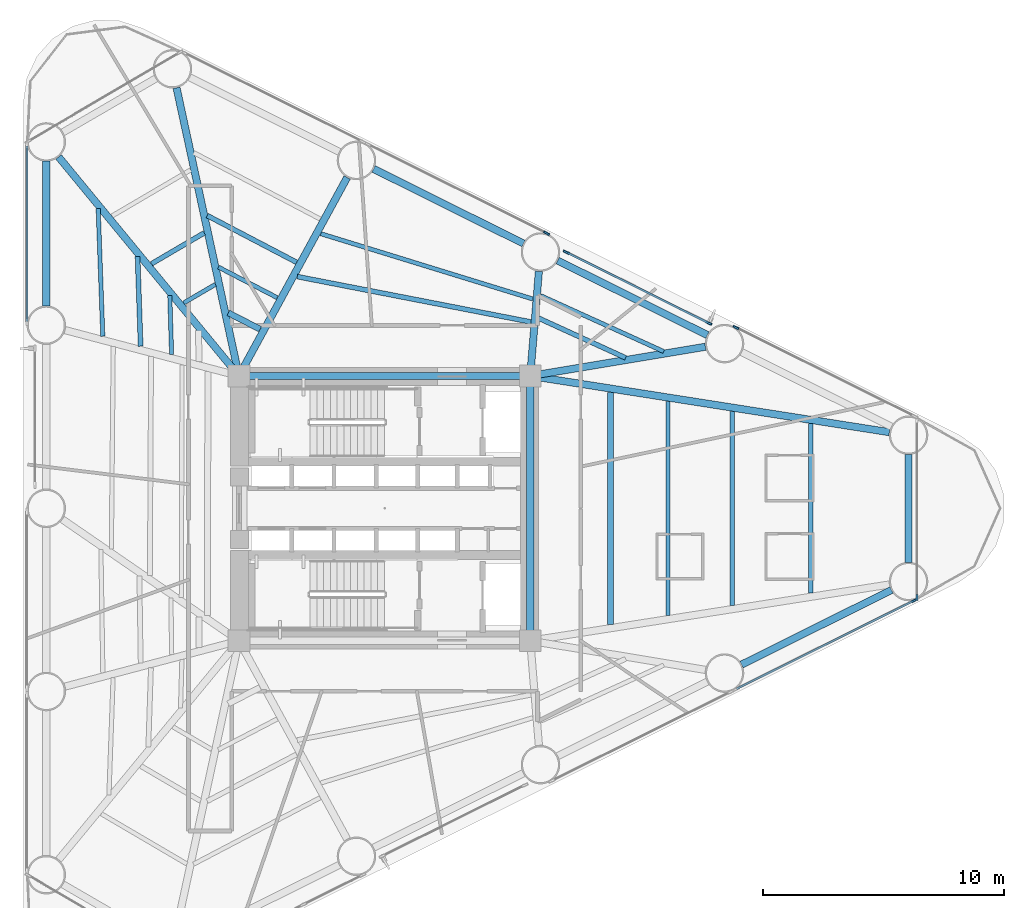
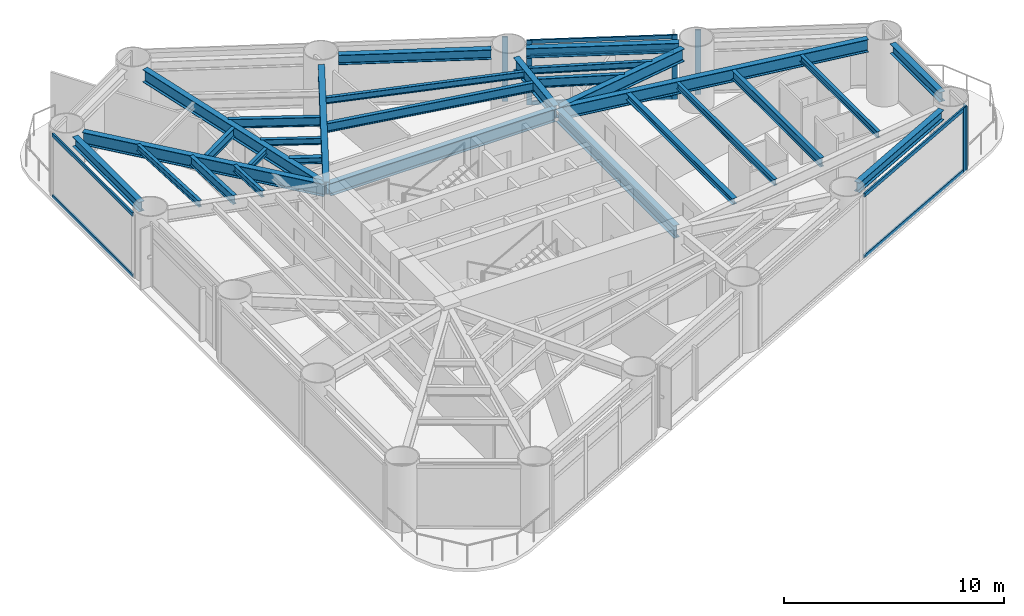
# One storey, part 3 of 10: 29 beams, 13 members, 6 elements without a shape of their own.
"""IFC4 building model written with IfcOpenShell, lengths in metres."""

from ifc_helpers import new_model, si_unit, direction, frame, origin, origin_2d, place, context, subcontext, project, spatial, rectangle, i_section, extrude, source, transform, mapped, material, layer, layer_set, material_profile, profile_set, type_object, element, aggregate, save


model = new_model("IFC4")

# Units and contexts
model_context = context("Model", 3, precision=1e-05, world=origin(), true_north=direction((0.0, 1.0)))
body_context = subcontext(model_context, "Body", "Model", "MODEL_VIEW")
ifc_project = project(units=[si_unit("LENGTHUNIT", "METRE"), si_unit("AREAUNIT", "SQUARE_METRE"), si_unit("VOLUMEUNIT", "CUBIC_METRE"), si_unit("PLANEANGLEUNIT", "RADIAN"), si_unit("MASSUNIT", "GRAM", prefix="KILO")], contexts=[model_context])

# Site, building, storey
site_placement = place(None, origin())
site = spatial("IfcSite", under=ifc_project, at=site_placement, CompositionType="ELEMENT")
building_placement = place(site_placement, origin())
building = spatial("IfcBuilding", under=site, at=building_placement, Name="Yunling Apex Tower", CompositionType="ELEMENT")
storey_placement = place(building_placement, frame((0.0, 0.0, 46.0)))
storey = spatial("IfcBuildingStorey", under=building, at=storey_placement, Name="L13", CompositionType="ELEMENT", Elevation=46.0)

# Beams
ifc_material_1 = material(Name="Steel Q355B", Category="steel")
ifc_material_profile_1 = material_profile(ifc_material_1, i_section(OverallWidth=0.300048828125, OverallDepth=0.699951171875, WebThickness=0.012939453125, FlangeThickness=0.02392578125, FilletRadius=0.02587890625, at=origin_2d()))
ifc_profile_set_1 = profile_set([ifc_material_profile_1], Name="Steel Q355B")
beam_type_1 = type_object("IfcBeamType", Name="BG-PRI-3", PredefinedType="USERDEFINED", material=ifc_profile_set_1)
shared_shape_1 = source(origin(), body_context, "Body", "SweptSolid", [
    extrude(i_section(OverallWidth=0.300048828125, OverallDepth=0.699951171875, WebThickness=0.012939453125, FlangeThickness=0.02392578125, FilletRadius=0.02587890625, at=origin_2d()), origin(), (0.0, 0.0, 1.0), 11.7998046875),
])
beam_1_placement = place(storey_placement, frame((5.89990234375, 5.5, 3.1298828125), z_axis=(-1.0, 0.0, 0.0), x_axis=(0.0, -1.0, 0.0)))
element("IfcBeam", 1, at=beam_1_placement, inside=storey, type_object=beam_type_1, Name="L13 Core Ring Tie Beam 3", ObjectType="GIRDER", PredefinedType="USERDEFINED", context=body_context, shape_type="MappedRepresentation", body=[
    mapped(shared_shape_1, transform((0.0, 0.0, 0.0), scale=1.0)),
])
shared_shape_2 = source(origin(), body_context, "Body", "SweptSolid", [
    extrude(i_section(OverallWidth=0.300048828125, OverallDepth=0.699951171875, WebThickness=0.012939453125, FlangeThickness=0.02392578125, FilletRadius=0.02587890625, at=origin_2d()), origin(), (0.0, 0.0, 1.0), 10.7001953125),
])
beam_2_placement = place(storey_placement, frame((6.050048828125, -5.35009765625, 3.1298828125), z_axis=(0.0, 1.0, 0.0), x_axis=(-1.0, 0.0, 0.0)))
element("IfcBeam", 2, at=beam_2_placement, inside=storey, type_object=beam_type_1, Name="L13 Core Ring Tie Beam 2", ObjectType="GIRDER", PredefinedType="USERDEFINED", context=body_context, shape_type="MappedRepresentation", body=[
    mapped(shared_shape_2, transform((0.0, 0.0, 0.0), scale=1.0)),
])
ifc_material_profile_2 = material_profile(ifc_material_1, i_section(OverallWidth=0.300048828125, OverallDepth=0.5400390625, WebThickness=0.011962890625, FlangeThickness=0.02001953125, FilletRadius=0.02392578125, at=origin_2d()))
ifc_profile_set_2 = profile_set([ifc_material_profile_2], Name="Steel Q355B")
beam_type_2 = type_object("IfcBeamType", Name="BP-SPN-1", PredefinedType="SPANDREL", material=ifc_profile_set_2)
shared_shape_3 = source(origin(), body_context, "Body", "SweptSolid", [
    extrude(i_section(OverallWidth=0.300048828125, OverallDepth=0.5400390625, WebThickness=0.011962890625, FlangeThickness=0.02001953125, FilletRadius=0.02392578125, at=origin_2d()), origin(), (0.0, 0.0, 1.0), 6.950927734375),
])
for number, where, z_axis, x_axis, name in (
    (3, (14.83251953125, -6.48974609375, 3.2099609375), (0.895247556401, 0.445569088646, 0.0), (-0.445569088646, 0.895247556401, 0.0), "L13 Perimeter Spandrel Beam 4"),
    (4, (5.7666015625, 11.002197265625, 3.2099609375), (-0.895247556401, 0.445569088646, 0.0), (-0.445569088646, -0.895247556401, 0.0), "L13 Perimeter Spandrel Beam 8"),
):
    element("IfcBeam", number, at=place(storey_placement, frame(where, z_axis=z_axis, x_axis=x_axis)), inside=storey, type_object=beam_type_2, Name=name, PredefinedType="SPANDREL", context=body_context, shape_type="MappedRepresentation", body=[
        mapped(shared_shape_3, transform((0.0, 0.0, 0.0), scale=1.0)),
    ])
shared_shape_4 = source(origin(), body_context, "Body", "SweptSolid", [
    extrude(i_section(OverallWidth=0.300048828125, OverallDepth=0.5400390625, WebThickness=0.011962890625, FlangeThickness=0.02001953125, FilletRadius=0.02392578125, at=origin_2d()), origin(), (0.0, 0.0, 1.0), 6.95068359375),
])
beam_3_placement = place(storey_placement, frame((13.410888671875, 7.197509765625, 3.2099609375), z_axis=(-0.895254593944, 0.445554948375, 0.0), x_axis=(-0.445554948375, -0.895254593944, 0.0)))
element("IfcBeam", 5, at=beam_3_placement, inside=storey, type_object=beam_type_2, Name="L13 Perimeter Spandrel Beam 7", PredefinedType="SPANDREL", context=body_context, shape_type="MappedRepresentation", body=[
    mapped(shared_shape_4, transform((0.0, 0.0, 0.0), scale=1.0)),
])
shared_shape_5 = source(origin(), body_context, "Body", "SweptSolid", [
    extrude(i_section(OverallWidth=0.300048828125, OverallDepth=0.5400390625, WebThickness=0.011962890625, FlangeThickness=0.02001953125, FilletRadius=0.02392578125, at=origin_2d()), origin(), (0.0, 0.0, 1.0), 4.48974609375),
])
beam_4_placement = place(storey_placement, frame((21.76611328125, -2.244873046875, 3.2099609375), z_axis=(0.0, 1.0, 0.0), x_axis=(-1.0, 0.0, 0.0)))
element("IfcBeam", 6, at=beam_4_placement, inside=storey, type_object=beam_type_2, Name="L13 Perimeter Spandrel Beam 5", PredefinedType="SPANDREL", context=body_context, shape_type="MappedRepresentation", body=[
    mapped(shared_shape_5, transform((0.0, 0.0, 0.0), scale=1.0)),
])
shared_shape_6 = source(origin(), body_context, "Body", "SweptSolid", [
    extrude(i_section(OverallWidth=0.300048828125, OverallDepth=0.5400390625, WebThickness=0.011962890625, FlangeThickness=0.02001953125, FilletRadius=0.02392578125, at=origin_2d()), origin(), (0.0, 0.0, 1.0), 6.021240234375),
])
beam_5_placement = place(storey_placement, frame((-14.052001953125, 14.4248046875, 3.2099609375), z_axis=(0.0, -1.0, 0.0), x_axis=(1.0, 0.0, 0.0)))
element("IfcBeam", 7, at=beam_5_placement, inside=storey, type_object=beam_type_2, Name="L13 Perimeter Spandrel Beam 11", PredefinedType="SPANDREL", context=body_context, shape_type="MappedRepresentation", body=[
    mapped(shared_shape_6, transform((0.0, 0.0, 0.0), scale=1.0)),
])
shared_shape_7 = source(origin(), body_context, "Body", "SweptSolid", [
    extrude(i_section(OverallWidth=0.300048828125, OverallDepth=0.699951171875, WebThickness=0.012939453125, FlangeThickness=0.02392578125, FilletRadius=0.02587890625, at=origin_2d()), origin(), (0.0, 0.0, 1.0), 12.165283203125),
])
beam_6_placement = place(storey_placement, frame((-8.640625, 17.468017578125, 3.1298828125), z_axis=(0.2115638914, -0.977364169517, 0.0), x_axis=(0.977364169517, 0.2115638914, 0.0)))
element("IfcBeam", 8, at=beam_6_placement, inside=storey, type_object=beam_type_1, Name="L13 Radial Primary Girder R10", ObjectType="GIRDER", PredefinedType="USERDEFINED", context=body_context, shape_type="MappedRepresentation", body=[
    mapped(shared_shape_7, transform((0.0, 0.0, 0.0), scale=1.0)),
])
shared_shape_8 = source(origin(), body_context, "Body", "SweptSolid", [
    extrude(i_section(OverallWidth=0.300048828125, OverallDepth=0.699951171875, WebThickness=0.012939453125, FlangeThickness=0.02392578125, FilletRadius=0.02587890625, at=origin_2d()), origin(), (0.0, 0.0, 1.0), 9.31005859375),
])
beam_7_placement = place(storey_placement, frame((-1.553955078125, 13.74365234375, 3.1298828125), z_axis=(-0.478817221141, -0.877914613581, 0.0), x_axis=(0.877914613581, -0.478817221141, 0.0)))
element("IfcBeam", 9, at=beam_7_placement, inside=storey, type_object=beam_type_1, Name="L13 Radial Primary Girder R09", ObjectType="GIRDER", PredefinedType="USERDEFINED", context=body_context, shape_type="MappedRepresentation", body=[
    mapped(shared_shape_8, transform((0.0, 0.0, 0.0), scale=1.0)),
])
shared_shape_9 = source(origin(), body_context, "Body", "SweptSolid", [
    extrude(i_section(OverallWidth=0.300048828125, OverallDepth=0.699951171875, WebThickness=0.012939453125, FlangeThickness=0.02392578125, FilletRadius=0.02587890625, at=origin_2d()), origin(), (0.0, 0.0, 1.0), 4.278076171875),
])
beam_8_placement = place(storey_placement, frame((6.41064453125, 9.843017578125, 3.1298828125), z_axis=(-0.082747937789, -0.996570508691, 0.0), x_axis=(0.996570508691, -0.082747937789, 0.0)))
element("IfcBeam", 10, at=beam_8_placement, inside=storey, type_object=beam_type_1, Name="L13 Radial Primary Girder R08", ObjectType="GIRDER", PredefinedType="USERDEFINED", context=body_context, shape_type="MappedRepresentation", body=[
    mapped(shared_shape_9, transform((0.0, 0.0, 0.0), scale=1.0)),
])
shared_shape_10 = source(origin(), body_context, "Body", "SweptSolid", [
    extrude(i_section(OverallWidth=0.300048828125, OverallDepth=0.699951171875, WebThickness=0.012939453125, FlangeThickness=0.02392578125, FilletRadius=0.02587890625, at=origin_2d()), origin(), (0.0, 0.0, 1.0), 7.294921875),
])
beam_9_placement = place(storey_placement, frame((13.32470703125, 6.7109375, 3.1298828125), z_axis=(-0.98642827455, -0.164192750049, 0.0), x_axis=(0.164192750049, -0.98642827455, 0.0)))
element("IfcBeam", 11, at=beam_9_placement, inside=storey, type_object=beam_type_1, Name="L13 Radial Primary Girder R07", ObjectType="GIRDER", PredefinedType="USERDEFINED", context=body_context, shape_type="MappedRepresentation", body=[
    mapped(shared_shape_10, transform((0.0, 0.0, 0.0), scale=1.0)),
])
shared_shape_11 = source(origin(), body_context, "Body", "SweptSolid", [
    extrude(i_section(OverallWidth=0.300048828125, OverallDepth=0.699951171875, WebThickness=0.012939453125, FlangeThickness=0.02392578125, FilletRadius=0.02587890625, at=origin_2d()), origin(), (0.0, 0.0, 1.0), 15.02001953125),
])
beam_10_placement = place(storey_placement, frame((20.968017578125, 3.163818359375, 3.1298828125), z_axis=(-0.987959991473, 0.154709583568, 0.0), x_axis=(-0.154709583568, -0.987959991473, 0.0)))
element("IfcBeam", 12, at=beam_10_placement, inside=storey, type_object=beam_type_1, Name="L13 Radial Primary Girder R06", ObjectType="GIRDER", PredefinedType="USERDEFINED", context=body_context, shape_type="MappedRepresentation", body=[
    mapped(shared_shape_11, transform((0.0, 0.0, 0.0), scale=1.0)),
])
shared_shape_12 = source(origin(), body_context, "Body", "SweptSolid", [
    extrude(i_section(OverallWidth=0.300048828125, OverallDepth=0.699951171875, WebThickness=0.012939453125, FlangeThickness=0.02392578125, FilletRadius=0.02587890625, at=origin_2d()), origin(), (0.0, 0.0, 1.0), 11.701171875),
])
beam_11_placement = place(storey_placement, frame((-13.538330078125, 14.59521484375, 3.1298828125), z_axis=(0.635615100524, -0.772006116547, 0.0), x_axis=(0.772006116547, 0.635615100524, 0.0)))
element("IfcBeam", 13, at=beam_11_placement, inside=storey, type_object=beam_type_1, Name="L13 Radial Primary Girder R11", ObjectType="GIRDER", PredefinedType="USERDEFINED", context=body_context, shape_type="MappedRepresentation", body=[
    mapped(shared_shape_12, transform((0.0, 0.0, 0.0), scale=1.0)),
])
ifc_material_profile_3 = material_profile(ifc_material_1, i_section(OverallWidth=0.199951171875, OverallDepth=0.5, WebThickness=0.010009765625, FlangeThickness=0.01611328125, FilletRadius=0.02001953125, at=origin_2d()))
ifc_profile_set_3 = profile_set([ifc_material_profile_3], Name="Steel Q355B")
beam_type_3 = type_object("IfcBeamType", Name="BS-SEC-2", PredefinedType="BEAM", material=ifc_profile_set_3)
shared_shape_13 = source(origin(), body_context, "Body", "SweptSolid", [
    extrude(i_section(OverallWidth=0.199951171875, OverallDepth=0.5, WebThickness=0.010009765625, FlangeThickness=0.01611328125, FilletRadius=0.02001953125, at=origin_2d()), origin(), (0.0, 0.0, 1.0), 4.186279296875),
])
beam_12_placement = place(storey_placement, frame((-3.6572265625, 10.221435546875, 3.22998046875), z_axis=(-0.886028927656, 0.463629959512, 0.0), x_axis=(-0.463629959512, -0.886028927656, 0.0)))
element("IfcBeam", 14, at=beam_12_placement, inside=storey, type_object=beam_type_3, Name="L13 Composite Floor Beam BS-9", PredefinedType="BEAM", context=body_context, shape_type="MappedRepresentation", body=[
    mapped(shared_shape_13, transform((0.0, 0.0, 0.0), scale=1.0)),
])
ifc_material_profile_4 = material_profile(ifc_material_1, i_section(OverallWidth=0.175048828125, OverallDepth=0.35009765625, WebThickness=0.007080078125, FlangeThickness=0.010986328125, FilletRadius=0.013916015625, at=origin_2d()))
ifc_profile_set_4 = profile_set([ifc_material_profile_4], Name="Steel Q355B")
beam_type_4 = type_object("IfcBeamType", Name="BJ-JST-1", PredefinedType="JOIST", material=ifc_profile_set_4)
shared_shape_14 = source(origin(), body_context, "Body", "SweptSolid", [
    extrude(i_section(OverallWidth=0.175048828125, OverallDepth=0.35009765625, WebThickness=0.007080078125, FlangeThickness=0.010986328125, FilletRadius=0.013916015625, at=origin_2d()), origin(), (0.0, 0.0, 1.0), 2.7548828125),
])
beam_13_placement = place(storey_placement, frame((-4.459716796875, 8.75, 3.304931640625), z_axis=(-0.886932237595, 0.461899562584, 0.0), x_axis=(-0.461899562584, -0.886932237595, 0.0)))
element("IfcBeam", 15, at=beam_13_placement, inside=storey, type_object=beam_type_4, Name="L13 Composite Floor Joist BJ3-9", PredefinedType="JOIST", context=body_context, shape_type="MappedRepresentation", body=[
    mapped(shared_shape_14, transform((0.0, 0.0, 0.0), scale=1.0)),
])
ifc_material_profile_5 = material_profile(ifc_material_1, i_section(OverallWidth=0.25, OverallDepth=0.340087890625, WebThickness=0.009033203125, FlangeThickness=0.013916015625, FilletRadius=0.01806640625, at=origin_2d()))
ifc_profile_set_5 = profile_set([ifc_material_profile_5], Name="Steel Q355B")
beam_type_5 = type_object("IfcBeamType", Name="BJ-JST-2", PredefinedType="JOIST", material=ifc_profile_set_5)
shared_shape_15 = source(origin(), body_context, "Body", "SweptSolid", [
    extrude(i_section(OverallWidth=0.25, OverallDepth=0.340087890625, WebThickness=0.009033203125, FlangeThickness=0.013916015625, FilletRadius=0.01806640625, at=origin_2d()), origin(), (0.0, 0.0, 1.0), 1.482421875),
])
beam_14_placement = place(storey_placement, frame((-5.173095703125, 7.441650390625, 3.31005859375), z_axis=(-0.888960334438, 0.457984196012, 0.0), x_axis=(-0.457984196012, -0.888960334438, 0.0)))
element("IfcBeam", 16, at=beam_14_placement, inside=storey, type_object=beam_type_5, Name="L13 Composite Floor Joist BJ2-9", PredefinedType="JOIST", context=body_context, shape_type="MappedRepresentation", body=[
    mapped(shared_shape_15, transform((0.0, 0.0, 0.0), scale=1.0)),
])
shared_shape_16 = source(origin(), body_context, "Body", "SweptSolid", [
    extrude(i_section(OverallWidth=0.199951171875, OverallDepth=0.5, WebThickness=0.010009765625, FlangeThickness=0.01611328125, FilletRadius=0.02001953125, at=origin_2d()), origin(), (0.0, 0.0, 1.0), 9.883544921875),
])
beam_15_placement = place(storey_placement, frame((6.076416015625, 7.741943359375, 3.22998046875), z_axis=(-0.981653423938, 0.190673950161, 0.0), x_axis=(-0.190673950161, -0.981653423938, 0.0)))
element("IfcBeam", 17, at=beam_15_placement, inside=storey, type_object=beam_type_3, Name="L13 Composite Floor Beam BS-8", PredefinedType="BEAM", context=body_context, shape_type="MappedRepresentation", body=[
    mapped(shared_shape_16, transform((0.0, 0.0, 0.0), scale=1.0)),
])
shared_shape_17 = source(origin(), body_context, "Body", "SweptSolid", [
    extrude(i_section(OverallWidth=0.175048828125, OverallDepth=0.35009765625, WebThickness=0.007080078125, FlangeThickness=0.010986328125, FilletRadius=0.013916015625, at=origin_2d()), origin(), (0.0, 0.0, 1.0), 9.2158203125),
])
beam_16_placement = place(storey_placement, frame((6.15869140625, 8.6962890625, 3.304931640625), z_axis=(-0.955731454849, 0.294240354492, 0.0), x_axis=(-0.294240354492, -0.955731454849, 0.0)))
element("IfcBeam", 18, at=beam_16_placement, inside=storey, type_object=beam_type_4, Name="L13 Composite Floor Joist BJ1-8", PredefinedType="JOIST", context=body_context, shape_type="MappedRepresentation", body=[
    mapped(shared_shape_17, transform((0.0, 0.0, 0.0), scale=1.0)),
])
shared_shape_18 = source(origin(), body_context, "Body", "SweptSolid", [
    extrude(i_section(OverallWidth=0.199951171875, OverallDepth=0.5, WebThickness=0.010009765625, FlangeThickness=0.01611328125, FilletRadius=0.02001953125, at=origin_2d()), origin(), (0.0, 0.0, 1.0), 3.971923828125),
])
beam_17_placement = place(storey_placement, frame((10.01318359375, 6.25048828125, 3.22998046875), z_axis=(-0.909609234888, 0.415464847858, 0.0), x_axis=(-0.415464847858, -0.909609234888, 0.0)))
element("IfcBeam", 19, at=beam_17_placement, inside=storey, type_object=beam_type_3, Name="L13 Composite Floor Beam BS-7", PredefinedType="BEAM", context=body_context, shape_type="MappedRepresentation", body=[
    mapped(shared_shape_18, transform((0.0, 0.0, 0.0), scale=1.0)),
])
shared_shape_19 = source(origin(), body_context, "Body", "SweptSolid", [
    extrude(i_section(OverallWidth=0.175048828125, OverallDepth=0.35009765625, WebThickness=0.007080078125, FlangeThickness=0.010986328125, FilletRadius=0.013916015625, at=origin_2d()), origin(), (0.0, 0.0, 1.0), 5.62109375),
])
beam_18_placement = place(storey_placement, frame((11.595947265625, 6.513671875, 3.304931640625), z_axis=(-0.910411095702, 0.413704770124, 0.0), x_axis=(-0.413704770124, -0.910411095702, 0.0)))
element("IfcBeam", 20, at=beam_18_placement, inside=storey, type_object=beam_type_4, Name="L13 Composite Floor Joist BJ1-7", PredefinedType="JOIST", context=body_context, shape_type="MappedRepresentation", body=[
    mapped(shared_shape_19, transform((0.0, 0.0, 0.0), scale=1.0)),
])
shared_shape_20 = source(origin(), body_context, "Body", "SweptSolid", [
    extrude(i_section(OverallWidth=0.199951171875, OverallDepth=0.5, WebThickness=0.010009765625, FlangeThickness=0.01611328125, FilletRadius=0.02001953125, at=origin_2d()), origin(), (0.0, 0.0, 1.0), 8.052734375),
])
beam_19_placement = place(storey_placement, frame((14.438720703125, -4.0263671875, 3.22998046875), z_axis=(0.0, 1.0, 0.0), x_axis=(-1.0, 0.0, 0.0)))
element("IfcBeam", 21, at=beam_19_placement, inside=storey, type_object=beam_type_3, Name="L13 Composite Floor Beam BS-5", PredefinedType="BEAM", context=body_context, shape_type="MappedRepresentation", body=[
    mapped(shared_shape_20, transform((0.0, 0.0, 0.0), scale=1.0)),
])
shared_shape_21 = source(origin(), body_context, "Body", "SweptSolid", [
    extrude(i_section(OverallWidth=0.175048828125, OverallDepth=0.35009765625, WebThickness=0.007080078125, FlangeThickness=0.010986328125, FilletRadius=0.013916015625, at=origin_2d()), origin(), (0.0, 0.0, 1.0), 7.02978515625),
])
beam_20_placement = place(storey_placement, frame((17.703369140625, -3.514892578125, 3.304931640625), z_axis=(0.0, 1.0, 0.0), x_axis=(-1.0, 0.0, 0.0)))
element("IfcBeam", 22, at=beam_20_placement, inside=storey, type_object=beam_type_4, Name="L13 Composite Floor Joist BJ1-5", PredefinedType="JOIST", context=body_context, shape_type="MappedRepresentation", body=[
    mapped(shared_shape_21, transform((0.0, 0.0, 0.0), scale=1.0)),
])
shared_shape_22 = source(origin(), body_context, "Body", "SweptSolid", [
    extrude(i_section(OverallWidth=0.175048828125, OverallDepth=0.35009765625, WebThickness=0.007080078125, FlangeThickness=0.010986328125, FilletRadius=0.013916015625, at=origin_2d()), origin(), (0.0, 0.0, 1.0), 8.88916015625),
])
beam_21_placement = place(storey_placement, frame((11.767822265625, -4.444580078125, 3.304931640625), z_axis=(0.0, 1.0, 0.0), x_axis=(-1.0, 0.0, 0.0)))
element("IfcBeam", 23, at=beam_21_placement, inside=storey, type_object=beam_type_4, Name="L13 Composite Floor Joist BJ3-5", PredefinedType="JOIST", context=body_context, shape_type="MappedRepresentation", body=[
    mapped(shared_shape_22, transform((0.0, 0.0, 0.0), scale=1.0)),
])
shared_shape_23 = source(origin(), body_context, "Body", "SweptSolid", [
    extrude(i_section(OverallWidth=0.25, OverallDepth=0.340087890625, WebThickness=0.009033203125, FlangeThickness=0.013916015625, FilletRadius=0.01806640625, at=origin_2d()), origin(), (0.0, 0.0, 1.0), 9.6328125),
])
beam_22_placement = place(storey_placement, frame((9.3935546875, -4.81640625, 3.31005859375), z_axis=(0.0, 1.0, 0.0), x_axis=(-1.0, 0.0, 0.0)))
element("IfcBeam", 24, at=beam_22_placement, inside=storey, type_object=beam_type_5, Name="L13 Composite Floor Joist BJ2-5", PredefinedType="JOIST", context=body_context, shape_type="MappedRepresentation", body=[
    mapped(shared_shape_23, transform((0.0, 0.0, 0.0), scale=1.0)),
])
shared_shape_24 = source(origin(), body_context, "Body", "SweptSolid", [
    extrude(i_section(OverallWidth=0.199951171875, OverallDepth=0.5, WebThickness=0.010009765625, FlangeThickness=0.01611328125, FilletRadius=0.02001953125, at=origin_2d()), origin(), (0.0, 0.0, 1.0), 2.5380859375),
])
beam_23_placement = place(storey_placement, frame((-7.49169921875, 11.4423828125, 3.22998046875), z_axis=(-0.862768873171, -0.505598527972, 0.0), x_axis=(0.505598527972, -0.862768873171, 0.0)))
element("IfcBeam", 25, at=beam_23_placement, inside=storey, type_object=beam_type_3, Name="L13 Composite Floor Beam BS-10", PredefinedType="BEAM", context=body_context, shape_type="MappedRepresentation", body=[
    mapped(shared_shape_24, transform((0.0, 0.0, 0.0), scale=1.0)),
])
shared_shape_25 = source(origin(), body_context, "Body", "SweptSolid", [
    extrude(i_section(OverallWidth=0.175048828125, OverallDepth=0.35009765625, WebThickness=0.007080078125, FlangeThickness=0.010986328125, FilletRadius=0.013916015625, at=origin_2d()), origin(), (0.0, 0.0, 1.0), 1.522705078125),
])
beam_24_placement = place(storey_placement, frame((-7.028564453125, 9.30224609375, 3.304931640625), z_axis=(-0.863086068208, -0.505056866962, 0.0), x_axis=(0.505056866962, -0.863086068208, 0.0)))
element("IfcBeam", 26, at=beam_24_placement, inside=storey, type_object=beam_type_4, Name="L13 Composite Floor Joist BJ3-10", PredefinedType="JOIST", context=body_context, shape_type="MappedRepresentation", body=[
    mapped(shared_shape_25, transform((0.0, 0.0, 0.0), scale=1.0)),
])
shared_shape_26 = source(origin(), body_context, "Body", "SweptSolid", [
    extrude(i_section(OverallWidth=0.199951171875, OverallDepth=0.5, WebThickness=0.010009765625, FlangeThickness=0.01611328125, FilletRadius=0.02001953125, at=origin_2d()), origin(), (0.0, 0.0, 1.0), 3.727783203125),
])
beam_25_placement = place(storey_placement, frame((-10.260498046875, 10.46044921875, 3.22998046875), z_axis=(0.034187081609, -0.999415450877, 0.0), x_axis=(0.999415450877, 0.034187081609, 0.0)))
element("IfcBeam", 27, at=beam_25_placement, inside=storey, type_object=beam_type_3, Name="L13 Composite Floor Beam BS-11", PredefinedType="BEAM", context=body_context, shape_type="MappedRepresentation", body=[
    mapped(shared_shape_26, transform((0.0, 0.0, 0.0), scale=1.0)),
])
shared_shape_27 = source(origin(), body_context, "Body", "SweptSolid", [
    extrude(i_section(OverallWidth=0.175048828125, OverallDepth=0.35009765625, WebThickness=0.007080078125, FlangeThickness=0.010986328125, FilletRadius=0.013916015625, at=origin_2d()), origin(), (0.0, 0.0, 1.0), 5.30224609375),
])
beam_26_placement = place(storey_placement, frame((-11.896484375, 12.447998046875, 3.304931640625), z_axis=(0.036144814399, -0.999346562706, 0.0), x_axis=(0.999346562706, 0.036144814399, 0.0)))
element("IfcBeam", 28, at=beam_26_placement, inside=storey, type_object=beam_type_4, Name="L13 Composite Floor Joist BJ1-11", PredefinedType="JOIST", context=body_context, shape_type="MappedRepresentation", body=[
    mapped(shared_shape_27, transform((0.0, 0.0, 0.0), scale=1.0)),
])
shared_shape_28 = source(origin(), body_context, "Body", "SweptSolid", [
    extrude(i_section(OverallWidth=0.175048828125, OverallDepth=0.35009765625, WebThickness=0.007080078125, FlangeThickness=0.010986328125, FilletRadius=0.013916015625, at=origin_2d()), origin(), (0.0, 0.0, 1.0), 2.439697265625),
])
beam_27_placement = place(storey_placement, frame((-8.922119140625, 8.83447265625, 3.304931640625), z_axis=(0.03092233012, -0.999521790408, 0.0), x_axis=(0.999521790408, 0.03092233012, 0.0)))
element("IfcBeam", 29, at=beam_27_placement, inside=storey, type_object=beam_type_4, Name="L13 Composite Floor Joist BJ3-11", PredefinedType="JOIST", context=body_context, shape_type="MappedRepresentation", body=[
    mapped(shared_shape_28, transform((0.0, 0.0, 0.0), scale=1.0)),
])

# Curtain wall, members
ifc_material_2 = material(Name="Bronze anodised aluminium", Category="aluminium")
ifc_layer = layer(ifc_material_2, 0.260009765625)
ifc_layer_set = layer_set([ifc_layer], Name="Bronze anodised aluminium")
curtain_wall_type = type_object("IfcCurtainWallType", Name="CW-SYS-2", PredefinedType="NOTDEFINED", material=ifc_layer_set)
curtain_wall_1_placement = place(storey_placement, origin())
curtain_wall_1 = element("IfcCurtainWall", 30, at=curtain_wall_1_placement, inside=storey, type_object=curtain_wall_type, Name="CW-L13-F1-B4", PredefinedType="NOTDEFINED")
ifc_material_profile_6 = material_profile(ifc_material_2, rectangle(XDim=0.0849609375, YDim=0.199951171875, at=origin_2d()))
ifc_profile_set_6 = profile_set([ifc_material_profile_6], Name="Bronze anodised aluminium")
member_type_1 = type_object("IfcMemberType", Name="CW-TRN-2", PredefinedType="USERDEFINED", material=ifc_profile_set_6)
shared_shape_29 = source(origin(), body_context, "Body", "SweptSolid", [
    extrude(rectangle(XDim=0.0849609375, YDim=0.199951171875, at=origin_2d()), origin(), (0.0, 0.0, 1.0), 8.21728515625),
])
member_1_placement = place(storey_placement, frame((14.626708984375, -7.4970703125, 0.04248046875), z_axis=(0.895245705371, 0.445572807761, 0.0), x_axis=(-0.445572807761, 0.895245705371, 0.0)))
member_1 = element("IfcMember", 31, at=member_1_placement, type_object=member_type_1, Name="CW-SYS-2 transom 1.1", ObjectType="TRANSOM", PredefinedType="USERDEFINED", context=body_context, shape_type="MappedRepresentation", body=[
    mapped(shared_shape_29, transform((0.0, 0.0, 0.0), scale=1.0)),
])
member_2_placement = place(storey_placement, frame((14.626708984375, -7.4970703125, 3.4375), z_axis=(0.895245705371, 0.445572807761, 0.0), x_axis=(-0.445572807761, 0.895245705371, 0.0)))
member_2 = element("IfcMember", 32, at=member_2_placement, type_object=member_type_1, Name="CW-SYS-2 transom 1.2", ObjectType="TRANSOM", PredefinedType="USERDEFINED", context=body_context, shape_type="MappedRepresentation", body=[
    mapped(shared_shape_29, transform((0.0, 0.0, 0.0), scale=1.0)),
])

curtain_wall_2_placement = place(storey_placement, origin())
curtain_wall_2 = element("IfcCurtainWall", 33, at=curtain_wall_2_placement, inside=storey, type_object=curtain_wall_type, Name="CW-L13-F3-B1", PredefinedType="NOTDEFINED")
shared_shape_30 = source(origin(), body_context, "Body", "SweptSolid", [
    extrude(rectangle(XDim=0.0849609375, YDim=0.199951171875, at=origin_2d()), origin(), (0.0, 0.0, 1.0), 7.287841796875),
])
member_3_placement = place(storey_placement, frame((-14.862060546875, 15.05810546875, 0.04248046875), z_axis=(0.0, -1.0, 0.0), x_axis=(1.0, 0.0, 0.0)))
member_3 = element("IfcMember", 34, at=member_3_placement, type_object=member_type_1, Name="CW-SYS-2 transom 1.1", ObjectType="TRANSOM", PredefinedType="USERDEFINED", context=body_context, shape_type="MappedRepresentation", body=[
    mapped(shared_shape_30, transform((0.0, 0.0, 0.0), scale=1.0)),
])
member_4_placement = place(storey_placement, frame((-14.862060546875, 15.05810546875, 3.4375), z_axis=(0.0, -1.0, 0.0), x_axis=(1.0, 0.0, 0.0)))
member_4 = element("IfcMember", 35, at=member_4_placement, type_object=member_type_1, Name="CW-SYS-2 transom 1.2", ObjectType="TRANSOM", PredefinedType="USERDEFINED", context=body_context, shape_type="MappedRepresentation", body=[
    mapped(shared_shape_30, transform((0.0, 0.0, 0.0), scale=1.0)),
])
aggregate(curtain_wall_2, [member_3, member_4])

curtain_wall_3_placement = place(storey_placement, origin())
curtain_wall_3 = element("IfcCurtainWall", 36, at=curtain_wall_3_placement, inside=storey, type_object=curtain_wall_type, Name="CW-L13-F2-B2", PredefinedType="NOTDEFINED")
shared_shape_31 = source(origin(), body_context, "Body", "SweptSolid", [
    extrude(rectangle(XDim=0.0849609375, YDim=0.199951171875, at=origin_2d()), origin(), (0.0, 0.0, 1.0), 6.537353515625),
])
member_5_placement = place(storey_placement, frame((13.435302734375, 7.710205078125, 0.04248046875), z_axis=(-0.895232386263, 0.445599567533, 0.0), x_axis=(-0.445599567533, -0.895232386263, 0.0)))
member_5 = element("IfcMember", 37, at=member_5_placement, type_object=member_type_1, Name="CW-SYS-2 transom 1.1", ObjectType="TRANSOM", PredefinedType="USERDEFINED", context=body_context, shape_type="MappedRepresentation", body=[
    mapped(shared_shape_31, transform((0.0, 0.0, 0.0), scale=1.0)),
])
member_6_placement = place(storey_placement, frame((13.435302734375, 7.710205078125, 2.644775390625), z_axis=(-0.895232386263, 0.445599567533, 0.0), x_axis=(-0.445599567533, -0.895232386263, 0.0)))
member_6 = element("IfcMember", 38, at=member_6_placement, type_object=member_type_1, Name="CW-SYS-2 transom 1.2", ObjectType="TRANSOM", PredefinedType="USERDEFINED", context=body_context, shape_type="MappedRepresentation", body=[
    mapped(shared_shape_31, transform((0.0, 0.0, 0.0), scale=1.0)),
])
member_7_placement = place(storey_placement, frame((13.435302734375, 7.710205078125, 3.4375), z_axis=(-0.895232386263, 0.445599567533, 0.0), x_axis=(-0.445599567533, -0.895232386263, 0.0)))
member_7 = element("IfcMember", 39, at=member_7_placement, type_object=member_type_1, Name="CW-SYS-2 transom 1.3", ObjectType="TRANSOM", PredefinedType="USERDEFINED", context=body_context, shape_type="MappedRepresentation", body=[
    mapped(shared_shape_31, transform((0.0, 0.0, 0.0), scale=1.0)),
])

# Member
ifc_material_profile_7 = material_profile(ifc_material_2, rectangle(XDim=0.0849609375, YDim=0.260009765625, at=origin_2d()))
ifc_profile_set_7 = profile_set([ifc_material_profile_7], Name="Bronze anodised aluminium")
member_type_2 = type_object("IfcMemberType", Name="CW-MUL-2", PredefinedType="MULLION", material=ifc_profile_set_7)
shared_shape_32 = source(origin(), body_context, "Body", "SweptSolid", [
    extrude(rectangle(XDim=0.0849609375, YDim=0.260009765625, at=origin_2d()), origin(), (0.0, 0.0, 1.0), 3.580078125),
])
member_8_placement = place(storey_placement, frame((22.017333984375, -3.818603515625, -0.050048828125), z_axis=(0.0, 0.0, 1.0), x_axis=(-0.445580190214, 0.895242031011, 0.0)))
member_8 = element("IfcMember", 40, at=member_8_placement, type_object=member_type_2, Name="CW-SYS-2 mullion 2", PredefinedType="MULLION", context=body_context, shape_type="MappedRepresentation", body=[
    mapped(shared_shape_32, transform((0.0, 0.0, 0.0), scale=1.0)),
])

aggregate(curtain_wall_1, [member_8, member_1, member_2])

# Curtain wall, member
curtain_wall_4_placement = place(storey_placement, origin())
curtain_wall_4 = element("IfcCurtainWall", 41, at=curtain_wall_4_placement, inside=storey, type_object=curtain_wall_type, Name="CW-L13-CRN1", PredefinedType="NOTDEFINED")
member_9_placement = place(storey_placement, frame((22.1181640625, -3.70361328125, -0.050048828125), z_axis=(0.0, 0.0, 1.0), x_axis=(-1.0, 0.0, 0.0)))
member_9 = element("IfcMember", 42, at=member_9_placement, type_object=member_type_2, Name="CW-SYS-2 mullion 1", PredefinedType="MULLION", context=body_context, shape_type="MappedRepresentation", body=[
    mapped(shared_shape_32, transform((0.0, 0.0, 0.0), scale=1.0)),
])
aggregate(curtain_wall_4, [member_9])

curtain_wall_5_placement = place(storey_placement, origin())
curtain_wall_5 = element("IfcCurtainWall", 43, at=curtain_wall_5_placement, inside=storey, type_object=curtain_wall_type, Name="CW-L13-F2-B1", PredefinedType="NOTDEFINED")
member_10_placement = place(storey_placement, frame((14.59228515625, 7.51416015625, -0.050048828125), z_axis=(0.0, 0.0, 1.0), x_axis=(-0.445580190214, -0.895242031011, 0.0)))
member_10 = element("IfcMember", 44, at=member_10_placement, type_object=member_type_2, Name="CW-SYS-2 mullion 2", PredefinedType="MULLION", context=body_context, shape_type="MappedRepresentation", body=[
    mapped(shared_shape_32, transform((0.0, 0.0, 0.0), scale=1.0)),
])
aggregate(curtain_wall_5, [member_10])

# Member
member_11_placement = place(storey_placement, frame((13.469482421875, 7.693115234375, -0.050048828125), z_axis=(0.0, 0.0, 1.0), x_axis=(-0.445576771947, -0.895243732344, 0.0)))
member_11 = element("IfcMember", 45, at=member_11_placement, type_object=member_type_2, Name="CW-SYS-2 mullion 1", PredefinedType="MULLION", context=body_context, shape_type="MappedRepresentation", body=[
    mapped(shared_shape_32, transform((0.0, 0.0, 0.0), scale=1.0)),
])

member_12_placement = place(storey_placement, frame((7.54833984375, 10.640380859375, -0.050048828125), z_axis=(0.0, 0.0, 1.0), x_axis=(-0.445576771947, -0.895243732344, 0.0)))
member_12 = element("IfcMember", 46, at=member_12_placement, type_object=member_type_2, Name="CW-SYS-2 mullion 2", PredefinedType="MULLION", context=body_context, shape_type="MappedRepresentation", body=[
    mapped(shared_shape_32, transform((0.0, 0.0, 0.0), scale=1.0)),
])

aggregate(curtain_wall_3, [member_11, member_12, member_5, member_6, member_7])

# Curtain wall, member
curtain_wall_6_placement = place(storey_placement, origin())
curtain_wall_6 = element("IfcCurtainWall", 47, at=curtain_wall_6_placement, inside=storey, type_object=curtain_wall_type, Name="CW-L13-F2-B3", PredefinedType="NOTDEFINED")
member_13_placement = place(storey_placement, frame((6.728515625, 11.427978515625, -0.050048828125), z_axis=(0.0, 0.0, 1.0), x_axis=(-0.445580190214, -0.895242031011, 0.0)))
member_13 = element("IfcMember", 48, at=member_13_placement, type_object=member_type_2, Name="CW-SYS-2 mullion 1", PredefinedType="MULLION", context=body_context, shape_type="MappedRepresentation", body=[
    mapped(shared_shape_32, transform((0.0, 0.0, 0.0), scale=1.0)),
])
aggregate(curtain_wall_6, [member_13])

save(model, "model.ifc")
